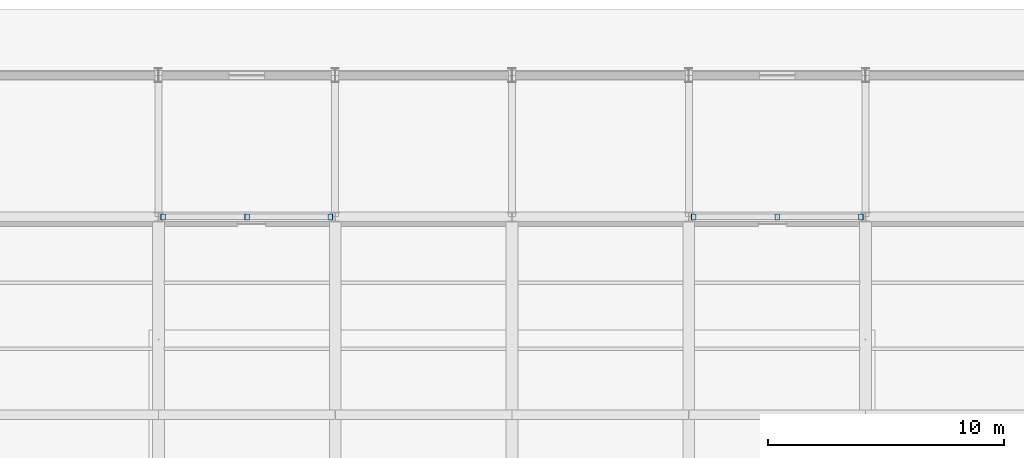
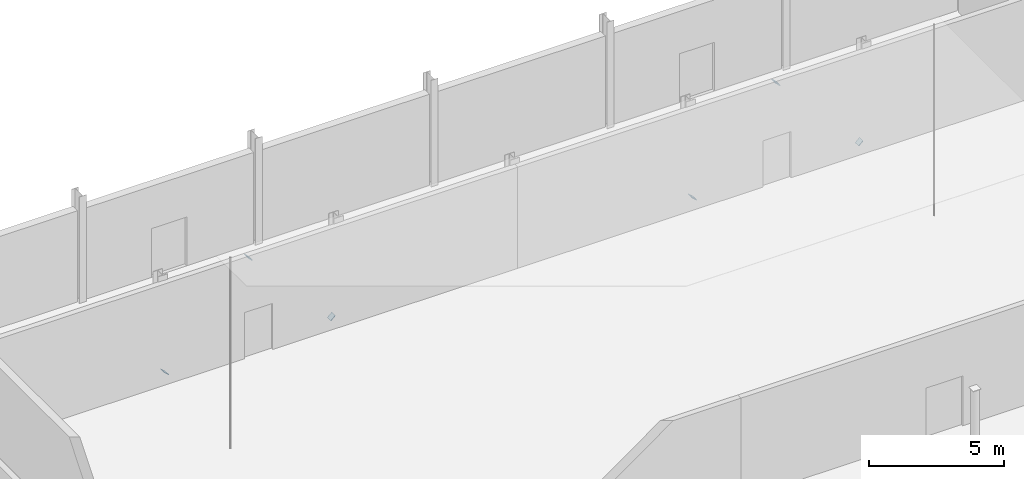
# One storey, part 51 of 82: 6 plates.
"""IFC4 building model written with IfcOpenShell, lengths in metres."""

from ifc_helpers import new_model, si_unit, direction, frame, origin, origin_2d, place, context, subcontext, project, spatial, rectangle, extrude, material, layer, layer_set, type_object, element, save


model = new_model("IFC4")

# Units and contexts
model_context = context("Model", 3, precision=1e-05, world=origin(), true_north=direction((0.0, 1.0)))
body_context = subcontext(model_context, "Body", "Model", "MODEL_VIEW")
ifc_project = project(units=[si_unit("LENGTHUNIT", "METRE"), si_unit("AREAUNIT", "SQUARE_METRE"), si_unit("VOLUMEUNIT", "CUBIC_METRE"), si_unit("PLANEANGLEUNIT", "RADIAN"), si_unit("MASSUNIT", "GRAM", prefix="KILO")], contexts=[model_context])

# Site, building, storey
site_placement = place(None, origin())
site = spatial("IfcSite", under=ifc_project, at=site_placement, CompositionType="ELEMENT")
building_placement = place(site_placement, origin())
building = spatial("IfcBuilding", under=site, at=building_placement, Name="Yukiwa Park Conservatory and Herbarium", CompositionType="ELEMENT")
storey_placement = place(building_placement, origin())
storey = spatial("IfcBuildingStorey", under=building, at=storey_placement, Name="L00", CompositionType="ELEMENT", Elevation=0.0)

# Plates
ifc_material = material(Name="Steel Q355D", Category="steel")
ifc_layer = layer(ifc_material, 0.02392578125)
ifc_layer_set = layer_set([ifc_layer], Name="Steel Q355D")
plate_type = type_object("IfcPlateType", Name="PL-CAP-24-INT", PredefinedType="USERDEFINED", material=ifc_layer_set)
for number, where, z_axis, x_axis, name in (
    (1, (22.7041015625, 103.199951171875, 0.274658203125), (-0.670647211269, 0.0, -0.741776460949), (0.0, -1.0, 0.0), "Hollow section end cap plate CAP-BR-L00-005A"),
    (2, (26.24462890625, 103.199951171875, 4.17919921875), (0.675724628517, 0.0, 0.737154140201), (0.0, 1.0, 0.0), "Hollow section end cap plate CAP-BR-L00-005B"),
    (3, (29.7958984375, 103.199951171875, 0.274658203125), (0.670647211269, 0.0, -0.741776460949), (0.0, 1.0, 0.0), "Hollow section end cap plate CAP-BR-L00-006A"),
    (4, (45.2041015625, 103.199951171875, 0.274658203125), (-0.670647211269, 0.0, -0.741776460949), (0.0, -1.0, 0.0), "Hollow section end cap plate CAP-BR-L00-007A"),
    (5, (48.74462890625, 103.199951171875, 4.17919921875), (0.675724628517, 0.0, 0.737154140201), (0.0, 1.0, 0.0), "Hollow section end cap plate CAP-BR-L00-007B"),
    (6, (52.2958984375, 103.199951171875, 0.274658203125), (0.670647211269, 0.0, -0.741776460949), (0.0, 1.0, 0.0), "Hollow section end cap plate CAP-BR-L00-008A"),
):
    element("IfcPlate", number, at=place(storey_placement, frame(where, z_axis=z_axis, x_axis=x_axis)), inside=storey, type_object=plate_type, Name=name, ObjectType="END CAP PLATE", PredefinedType="USERDEFINED", context=body_context, shape_type="SweptSolid", body=[
        extrude(rectangle(XDim=0.258056640625, YDim=0.258056640625, at=origin_2d()), origin(), (0.0, 0.0, 1.0), 0.02392578125),
    ])

save(model, "model.ifc")
